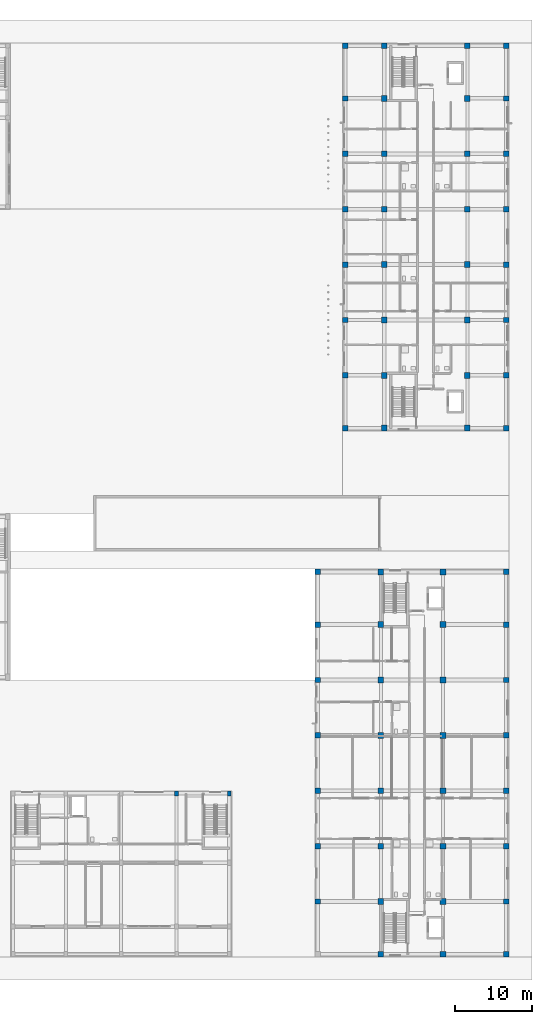
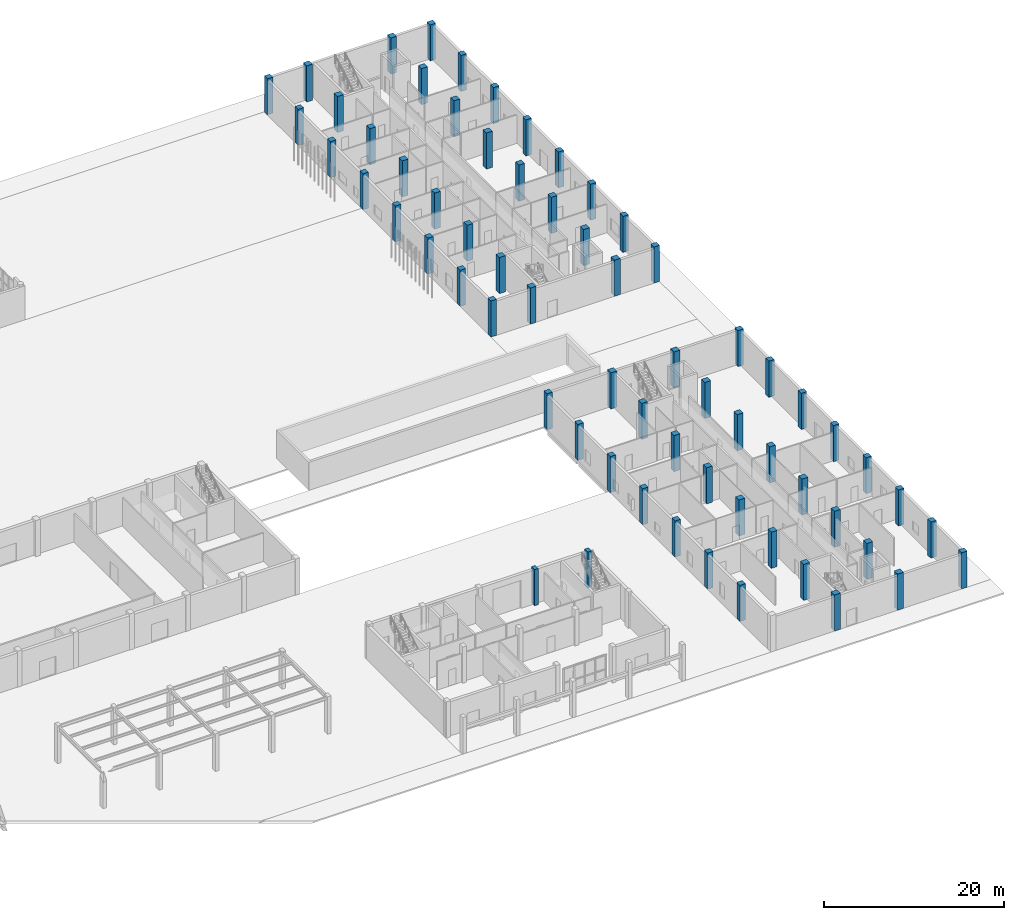
# One storey, part 2 of 85: 65 columns.
"""IFC4 building model written with IfcOpenShell, lengths in metres."""

from ifc_helpers import new_model, si_unit, derived_unit, direction, frame, origin, origin_2d, place, context, subcontext, project, spatial, rectangle, extrude, material, material_profile, profile_set, type_object, element, save


model = new_model("IFC4")

# Units and contexts
model_context = context("Model", 3, precision=1e-05, world=origin(), true_north=direction((0.0, 1.0)))
body_context = subcontext(model_context, "Body", "Model", "MODEL_VIEW")
ifc_project = project(units=[si_unit("LENGTHUNIT", "METRE"), si_unit("AREAUNIT", "SQUARE_METRE"), si_unit("VOLUMEUNIT", "CUBIC_METRE"), si_unit("PLANEANGLEUNIT", "RADIAN"), si_unit("MASSUNIT", "GRAM", prefix="KILO"), derived_unit("THERMALTRANSMITTANCEUNIT", [(si_unit("MASSUNIT", "GRAM", prefix="KILO"), 1), (si_unit("TIMEUNIT", "SECOND"), -3), (si_unit("THERMODYNAMICTEMPERATUREUNIT", "KELVIN"), -1)])], contexts=[model_context])

# Site, building, storey
site_placement = place(None, origin())
site = spatial("IfcSite", under=ifc_project, at=site_placement, CompositionType="ELEMENT")
building_placement = place(site_placement, origin())
building = spatial("IfcBuilding", under=site, at=building_placement, Name="Ochrekiln Boulevard Commons", CompositionType="ELEMENT")
storey_placement = place(building_placement, origin())
storey = spatial("IfcBuildingStorey", under=building, at=storey_placement, Name="L00", CompositionType="ELEMENT", Elevation=0.0)

# Columns
ifc_material_1 = material(Name="Concrete C35/45", Category="concrete")
ifc_material_profile_1 = material_profile(ifc_material_1, rectangle(XDim=0.5, YDim=0.699951171875, at=origin_2d()), Name="RC-COL-500x700")
ifc_profile_set_1 = profile_set([ifc_material_profile_1], Name="Concrete C35/45")
column_type_1 = type_object("IfcColumnType", Name="COL-RC-500x700", PredefinedType="COLUMN", material=ifc_profile_set_1)
for number, where, z_axis, x_axis, name in (
    (1, (129.60009765625, 21.25, 0.0), (0.0, 0.0, 1.0), (1.0, 0.0, 0.0), "East Boulevard Shops and Arcade L00 Column C-5070 (16)"),
    (2, (136.449951171875, 21.25, 0.0), (0.0, 0.0, 1.0), (1.0, 0.0, 0.0), "East Boulevard Shops and Arcade L00 Column C-5070 (20)"),
):
    element("IfcColumn", number, at=place(storey_placement, frame(where, z_axis=z_axis, x_axis=x_axis)), inside=storey, type_object=column_type_1, Name=name, PredefinedType="COLUMN", context=body_context, shape_type="SweptSolid", body=[
        extrude(rectangle(XDim=0.5, YDim=0.699951171875, at=origin_2d()), origin(), (0.0, 0.0, 1.0), 4.89990234375),
    ])
ifc_material_2 = material(Name="Concrete C40/50", Category="concrete")
ifc_material_profile_2 = material_profile(ifc_material_2, rectangle(XDim=0.699951171875, YDim=0.699951171875, at=origin_2d()), Name="RC-COL-700x700")
ifc_profile_set_2 = profile_set([ifc_material_profile_2], Name="Concrete C40/50")
column_type_2 = type_object("IfcColumnType", Name="COL-RC-700", PredefinedType="COLUMN", material=ifc_profile_set_2)
for number, where, z_axis, x_axis, name in (
    (3, (151.550048828125, 68.75, 0.0), (0.0, 0.0, 1.0), (1.0, 0.0, 0.0), "Block B L00 Column C-700 (1)"),
    (4, (151.550048828125, 75.60009765625, 0.0), (0.0, 0.0, 1.0), (1.0, 0.0, 0.0), "Block B L00 Column C-700 (2)"),
    (5, (151.550048828125, 82.800048828125, 0.0), (0.0, 0.0, 1.0), (1.0, 0.0, 0.0), "Block B L00 Column C-700 (3)"),
    (6, (151.550048828125, 90.0, 0.0), (0.0, 0.0, 1.0), (1.0, 0.0, 0.0), "Block B L00 Column C-700 (4)"),
    (7, (151.550048828125, 97.199951171875, 0.0), (0.0, 0.0, 1.0), (1.0, 0.0, 0.0), "Block B L00 Column C-700 (5)"),
    (8, (151.550048828125, 104.39990234375, 0.0), (0.0, 0.0, 1.0), (1.0, 0.0, 0.0), "Block B L00 Column C-700 (6)"),
    (9, (151.550048828125, 111.60009765625, 0.0), (0.0, 0.0, 1.0), (1.0, 0.0, 0.0), "Block B L00 Column C-700 (7)"),
    (10, (151.550048828125, 118.449951171875, 0.0), (0.0, 0.0, 1.0), (1.0, 0.0, 0.0), "Block B L00 Column C-700 (8)"),
    (11, (172.449951171875, 68.75, 0.0), (0.0, 0.0, 1.0), (1.0, 0.0, 0.0), "Block B L00 Column C-700 (25)"),
    (12, (172.449951171875, 75.60009765625, 0.0), (0.0, 0.0, 1.0), (1.0, 0.0, 0.0), "Block B L00 Column C-700 (26)"),
    (13, (172.449951171875, 82.800048828125, 0.0), (0.0, 0.0, 1.0), (1.0, 0.0, 0.0), "Block B L00 Column C-700 (27)"),
    (14, (172.449951171875, 90.0, 0.0), (0.0, 0.0, 1.0), (1.0, 0.0, 0.0), "Block B L00 Column C-700 (28)"),
    (15, (172.449951171875, 97.199951171875, 0.0), (0.0, 0.0, 1.0), (1.0, 0.0, 0.0), "Block B L00 Column C-700 (29)"),
    (16, (172.449951171875, 104.39990234375, 0.0), (0.0, 0.0, 1.0), (1.0, 0.0, 0.0), "Block B L00 Column C-700 (30)"),
    (17, (172.449951171875, 111.60009765625, 0.0), (0.0, 0.0, 1.0), (1.0, 0.0, 0.0), "Block B L00 Column C-700 (31)"),
    (18, (172.449951171875, 118.449951171875, 0.0), (0.0, 0.0, 1.0), (1.0, 0.0, 0.0), "Block B L00 Column C-700 (32)"),
    (19, (147.949951171875, 7.199951171875, 0.0), (0.0, 0.0, 1.0), (1.0, 0.0, 0.0), "Block C L00 Column C-700 (2)"),
    (20, (147.949951171875, 14.39990234375, 0.0), (0.0, 0.0, 1.0), (1.0, 0.0, 0.0), "Block C L00 Column C-700 (3)"),
    (21, (147.949951171875, 21.60009765625, 0.0), (0.0, 0.0, 1.0), (1.0, 0.0, 0.0), "Block C L00 Column C-700 (4)"),
    (22, (147.949951171875, 28.800048828125, 0.0), (0.0, 0.0, 1.0), (1.0, 0.0, 0.0), "Block C L00 Column C-700 (5)"),
    (23, (147.949951171875, 36.0, 0.0), (0.0, 0.0, 1.0), (1.0, 0.0, 0.0), "Block C L00 Column C-700 (6)"),
    (24, (147.949951171875, 43.199951171875, 0.0), (0.0, 0.0, 1.0), (1.0, 0.0, 0.0), "Block C L00 Column C-700 (7)"),
    (25, (147.949951171875, 50.050048828125, 0.0), (0.0, 0.0, 1.0), (1.0, 0.0, 0.0), "Block C L00 Column C-700 (8)"),
    (26, (172.449951171875, 0.35009765625, 0.0), (0.0, 0.0, 1.0), (1.0, 0.0, 0.0), "Block C L00 Column C-700 (25)"),
    (27, (172.449951171875, 7.199951171875, 0.0), (0.0, 0.0, 1.0), (1.0, 0.0, 0.0), "Block C L00 Column C-700 (26)"),
    (28, (172.449951171875, 14.39990234375, 0.0), (0.0, 0.0, 1.0), (1.0, 0.0, 0.0), "Block C L00 Column C-700 (27)"),
    (29, (172.449951171875, 21.60009765625, 0.0), (0.0, 0.0, 1.0), (1.0, 0.0, 0.0), "Block C L00 Column C-700 (28)"),
    (30, (172.449951171875, 28.800048828125, 0.0), (0.0, 0.0, 1.0), (1.0, 0.0, 0.0), "Block C L00 Column C-700 (29)"),
    (31, (172.449951171875, 36.0, 0.0), (0.0, 0.0, 1.0), (1.0, 0.0, 0.0), "Block C L00 Column C-700 (30)"),
    (32, (172.449951171875, 43.199951171875, 0.0), (0.0, 0.0, 1.0), (1.0, 0.0, 0.0), "Block C L00 Column C-700 (31)"),
    (33, (172.449951171875, 50.050048828125, 0.0), (0.0, 0.0, 1.0), (1.0, 0.0, 0.0), "Block C L00 Column C-700 (32)"),
):
    element("IfcColumn", number, at=place(storey_placement, frame(where, z_axis=z_axis, x_axis=x_axis)), inside=storey, type_object=column_type_2, Name=name, PredefinedType="COLUMN", context=body_context, shape_type="SweptSolid", body=[
        extrude(rectangle(XDim=0.699951171875, YDim=0.699951171875, at=origin_2d()), origin(), (0.0, 0.0, 1.0), 4.89990234375),
    ])
ifc_material_profile_3 = material_profile(ifc_material_2, rectangle(XDim=0.75, YDim=0.75, at=origin_2d()), Name="RC-COL-750x750")
ifc_profile_set_3 = profile_set([ifc_material_profile_3], Name="Concrete C40/50")
column_type_3 = type_object("IfcColumnType", Name="COL-RC-750", PredefinedType="COLUMN", material=ifc_profile_set_3)
for number, where, z_axis, x_axis, name in (
    (34, (156.60009765625, 68.75, 0.0), (0.0, 0.0, 1.0), (1.0, 0.0, 0.0), "Block B L00 Column C-750 (9)"),
    (35, (156.60009765625, 75.60009765625, 0.0), (0.0, 0.0, 1.0), (1.0, 0.0, 0.0), "Block B L00 Column C-750 (10)"),
    (36, (156.60009765625, 82.800048828125, 0.0), (0.0, 0.0, 1.0), (1.0, 0.0, 0.0), "Block B L00 Column C-750 (11)"),
    (37, (156.60009765625, 90.0, 0.0), (0.0, 0.0, 1.0), (1.0, 0.0, 0.0), "Block B L00 Column C-750 (12)"),
    (38, (156.60009765625, 97.199951171875, 0.0), (0.0, 0.0, 1.0), (1.0, 0.0, 0.0), "Block B L00 Column C-750 (13)"),
    (39, (156.60009765625, 104.39990234375, 0.0), (0.0, 0.0, 1.0), (1.0, 0.0, 0.0), "Block B L00 Column C-750 (14)"),
    (40, (156.60009765625, 111.60009765625, 0.0), (0.0, 0.0, 1.0), (1.0, 0.0, 0.0), "Block B L00 Column C-750 (15)"),
    (41, (156.60009765625, 118.449951171875, 0.0), (0.0, 0.0, 1.0), (1.0, 0.0, 0.0), "Block B L00 Column C-750 (16)"),
    (42, (167.39990234375, 68.75, 0.0), (0.0, 0.0, 1.0), (1.0, 0.0, 0.0), "Block B L00 Column C-750 (17)"),
    (43, (167.39990234375, 75.60009765625, 0.0), (0.0, 0.0, 1.0), (1.0, 0.0, 0.0), "Block B L00 Column C-750 (18)"),
    (44, (167.39990234375, 82.800048828125, 0.0), (0.0, 0.0, 1.0), (1.0, 0.0, 0.0), "Block B L00 Column C-750 (19)"),
    (45, (167.39990234375, 90.0, 0.0), (0.0, 0.0, 1.0), (1.0, 0.0, 0.0), "Block B L00 Column C-750 (20)"),
    (46, (167.39990234375, 97.199951171875, 0.0), (0.0, 0.0, 1.0), (1.0, 0.0, 0.0), "Block B L00 Column C-750 (21)"),
    (47, (167.39990234375, 104.39990234375, 0.0), (0.0, 0.0, 1.0), (1.0, 0.0, 0.0), "Block B L00 Column C-750 (22)"),
    (48, (167.39990234375, 111.60009765625, 0.0), (0.0, 0.0, 1.0), (1.0, 0.0, 0.0), "Block B L00 Column C-750 (23)"),
    (49, (167.39990234375, 118.449951171875, 0.0), (0.0, 0.0, 1.0), (1.0, 0.0, 0.0), "Block B L00 Column C-750 (24)"),
    (50, (156.14990234375, 0.35009765625, 0.0), (0.0, 0.0, 1.0), (1.0, 0.0, 0.0), "Block C L00 Column C-750 (9)"),
    (51, (156.14990234375, 7.199951171875, 0.0), (0.0, 0.0, 1.0), (1.0, 0.0, 0.0), "Block C L00 Column C-750 (10)"),
    (52, (156.14990234375, 14.39990234375, 0.0), (0.0, 0.0, 1.0), (1.0, 0.0, 0.0), "Block C L00 Column C-750 (11)"),
    (53, (156.14990234375, 21.60009765625, 0.0), (0.0, 0.0, 1.0), (1.0, 0.0, 0.0), "Block C L00 Column C-750 (12)"),
    (54, (156.14990234375, 28.800048828125, 0.0), (0.0, 0.0, 1.0), (1.0, 0.0, 0.0), "Block C L00 Column C-750 (13)"),
    (55, (156.14990234375, 36.0, 0.0), (0.0, 0.0, 1.0), (1.0, 0.0, 0.0), "Block C L00 Column C-750 (14)"),
    (56, (156.14990234375, 43.199951171875, 0.0), (0.0, 0.0, 1.0), (1.0, 0.0, 0.0), "Block C L00 Column C-750 (15)"),
    (57, (156.14990234375, 50.050048828125, 0.0), (0.0, 0.0, 1.0), (1.0, 0.0, 0.0), "Block C L00 Column C-750 (16)"),
    (58, (164.25, 0.35009765625, 0.0), (0.0, 0.0, 1.0), (1.0, 0.0, 0.0), "Block C L00 Column C-750 (17)"),
    (59, (164.25, 7.199951171875, 0.0), (0.0, 0.0, 1.0), (1.0, 0.0, 0.0), "Block C L00 Column C-750 (18)"),
    (60, (164.25, 14.39990234375, 0.0), (0.0, 0.0, 1.0), (1.0, 0.0, 0.0), "Block C L00 Column C-750 (19)"),
    (61, (164.25, 21.60009765625, 0.0), (0.0, 0.0, 1.0), (1.0, 0.0, 0.0), "Block C L00 Column C-750 (20)"),
    (62, (164.25, 28.800048828125, 0.0), (0.0, 0.0, 1.0), (1.0, 0.0, 0.0), "Block C L00 Column C-750 (21)"),
    (63, (164.25, 36.0, 0.0), (0.0, 0.0, 1.0), (1.0, 0.0, 0.0), "Block C L00 Column C-750 (22)"),
    (64, (164.25, 43.199951171875, 0.0), (0.0, 0.0, 1.0), (1.0, 0.0, 0.0), "Block C L00 Column C-750 (23)"),
    (65, (164.25, 50.050048828125, 0.0), (0.0, 0.0, 1.0), (1.0, 0.0, 0.0), "Block C L00 Column C-750 (24)"),
):
    element("IfcColumn", number, at=place(storey_placement, frame(where, z_axis=z_axis, x_axis=x_axis)), inside=storey, type_object=column_type_3, Name=name, PredefinedType="COLUMN", context=body_context, shape_type="SweptSolid", body=[
        extrude(rectangle(XDim=0.75, YDim=0.75, at=origin_2d()), origin(), (0.0, 0.0, 1.0), 4.89990234375),
    ])

save(model, "model.ifc")
